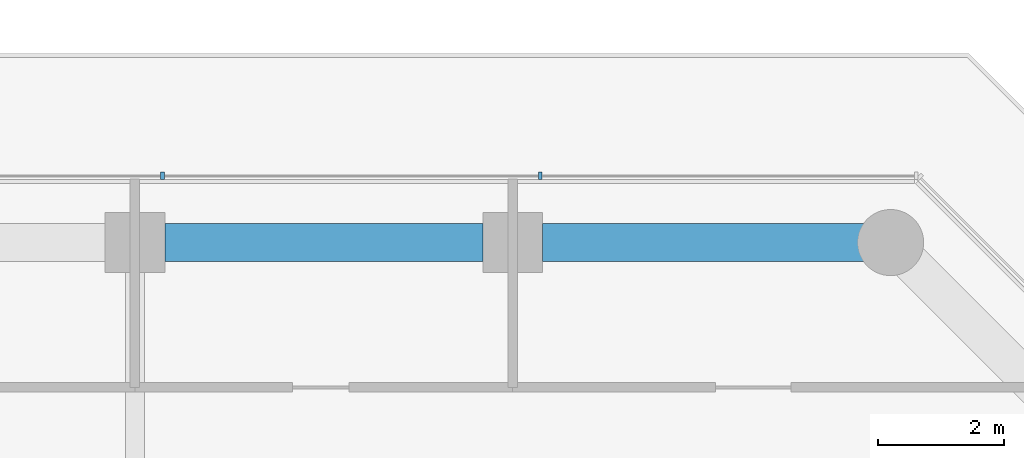
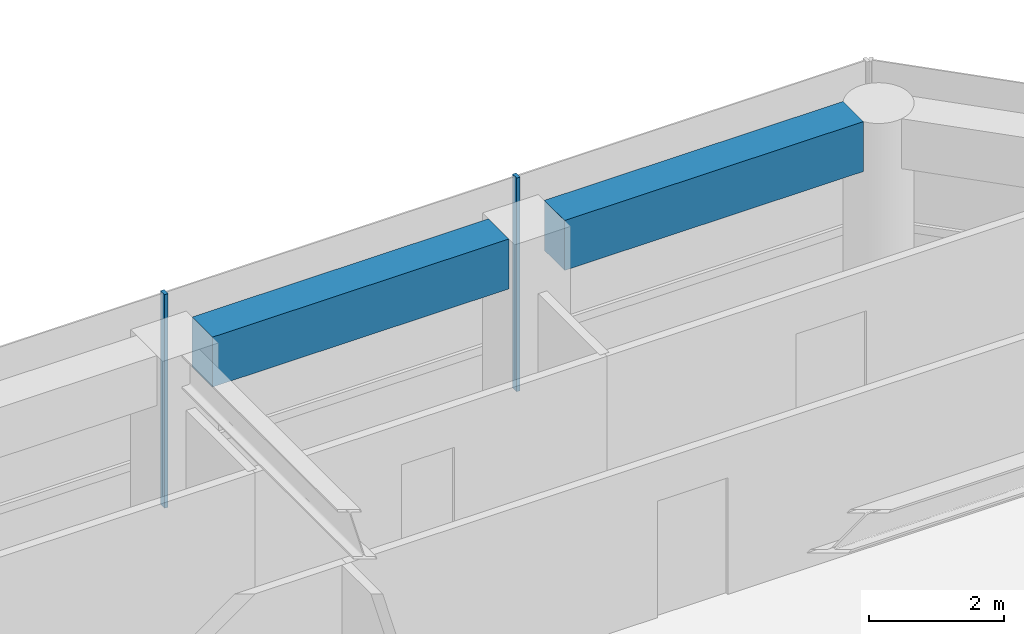
# One storey, part 11 of 31: 2 beams, 2 members, 1 element without a shape of its own.
"""IFC4 building model written with IfcOpenShell, lengths in metres."""

from ifc_helpers import new_model, si_unit, direction, frame, origin, origin_2d, place, context, subcontext, project, spatial, rectangle, extrude, material, layer, layer_set, material_profile, profile_set, type_object, element, aggregate, save


model = new_model("IFC4")

# Units and contexts
model_context = context("Model", 3, precision=1e-05, world=origin(), true_north=direction((0.0, 1.0)))
body_context = subcontext(model_context, "Body", "Model", "MODEL_VIEW")
ifc_project = project(units=[si_unit("LENGTHUNIT", "METRE"), si_unit("AREAUNIT", "SQUARE_METRE"), si_unit("VOLUMEUNIT", "CUBIC_METRE"), si_unit("PLANEANGLEUNIT", "RADIAN"), si_unit("MASSUNIT", "GRAM", prefix="KILO")], contexts=[model_context])

# Site, building, storey
site_placement = place(None, origin())
site = spatial("IfcSite", under=ifc_project, at=site_placement, CompositionType="ELEMENT")
building_placement = place(site_placement, origin())
building = spatial("IfcBuilding", under=site, at=building_placement, Name="Welwitschia Terrace Campus", CompositionType="ELEMENT")
storey_placement = place(building_placement, frame((0.0, 0.0, 29.0)))
storey = spatial("IfcBuildingStorey", under=building, at=storey_placement, Name="L06", CompositionType="ELEMENT", Elevation=29.0)

# Curtain wall, members
ifc_material_1 = material(Name="Bronze anodised aluminium", Category="aluminium")
ifc_layer = layer(ifc_material_1, 0.1201171875)
ifc_layer_set = layer_set([ifc_layer], Name="Bronze anodised aluminium")
curtain_wall_type = type_object("IfcCurtainWallType", Name="Curtain wall CW2 tower 6000", PredefinedType="NOTDEFINED", material=ifc_layer_set)
curtain_wall_placement = place(storey_placement, origin())
curtain_wall = element("IfcCurtainWall", 1, at=curtain_wall_placement, inside=storey, type_object=curtain_wall_type, Name="CW L06.9.0", PredefinedType="NOTDEFINED")
ifc_material_2 = material(Name="Bronze anodised aluminium", Category="aluminium")
ifc_material_profile_1 = material_profile(ifc_material_2, rectangle(XDim=0.1201171875, YDim=0.06005859375, at=origin_2d()))
ifc_profile_set_1 = profile_set([ifc_material_profile_1], Name="Bronze anodised aluminium")
member_type = type_object("IfcMemberType", Name="Mullion 60x120", PredefinedType="MULLION", material=ifc_profile_set_1)
member_1_placement = place(storey_placement, frame((54.438232421875, 21.05810546875, 0.0), z_axis=(0.0, 0.0, 1.0), x_axis=(0.0, -1.0, 0.0)))
member_1 = element("IfcMember", 2, at=member_1_placement, type_object=member_type, Name="Mullion L06.9.0.1", PredefinedType="MULLION", context=body_context, shape_type="SweptSolid", body=[
    extrude(rectangle(XDim=0.1201171875, YDim=0.06005859375, at=origin_2d()), origin(), (0.0, 0.0, 1.0), 3.85009765625),
])
member_2_placement = place(storey_placement, frame((48.438232421875, 21.05810546875, 0.0), z_axis=(0.0, 0.0, 1.0), x_axis=(0.0, -1.0, 0.0)))
member_2 = element("IfcMember", 3, at=member_2_placement, type_object=member_type, Name="Mullion L06.9.0.2", PredefinedType="MULLION", context=body_context, shape_type="SweptSolid", body=[
    extrude(rectangle(XDim=0.1201171875, YDim=0.06005859375, at=origin_2d()), origin(), (0.0, 0.0, 1.0), 3.85009765625),
])
aggregate(curtain_wall, [member_1, member_2])

# Beams
ifc_material_3 = material(Name="Concrete C60/75", Category="concrete")
ifc_material_profile_2 = material_profile(ifc_material_3, rectangle(XDim=0.60009765625, YDim=0.89990234375, at=origin_2d()))
ifc_profile_set_2 = profile_set([ifc_material_profile_2], Name="Concrete C60/75")
beam_type = type_object("IfcBeamType", Name="Ring spandrel 600x900", PredefinedType="SPANDREL", material=ifc_profile_set_2)
beam_1_placement = place(storey_placement, frame((59.568603515625, 20.0, 3.39990234375), z_axis=(-1.0, 0.0, 0.0), x_axis=(0.0, -1.0, 0.0)))
element("IfcBeam", 4, at=beam_1_placement, inside=storey, type_object=beam_type, Name="Spandrel SP2", PredefinedType="SPANDREL", context=body_context, shape_type="SweptSolid", body=[
    extrude(rectangle(XDim=0.60009765625, YDim=0.89990234375, at=origin_2d()), origin(), (0.0, 0.0, 1.0), 5.093017578125),
])
beam_2_placement = place(storey_placement, frame((53.5244140625, 20.0, 3.39990234375), z_axis=(-1.0, 0.0, 0.0), x_axis=(0.0, -1.0, 0.0)))
element("IfcBeam", 5, at=beam_2_placement, inside=storey, type_object=beam_type, Name="Spandrel SP2", PredefinedType="SPANDREL", context=body_context, shape_type="SweptSolid", body=[
    extrude(rectangle(XDim=0.60009765625, YDim=0.89990234375, at=origin_2d()), origin(), (0.0, 0.0, 1.0), 5.048828125),
])

save(model, "model.ifc")
